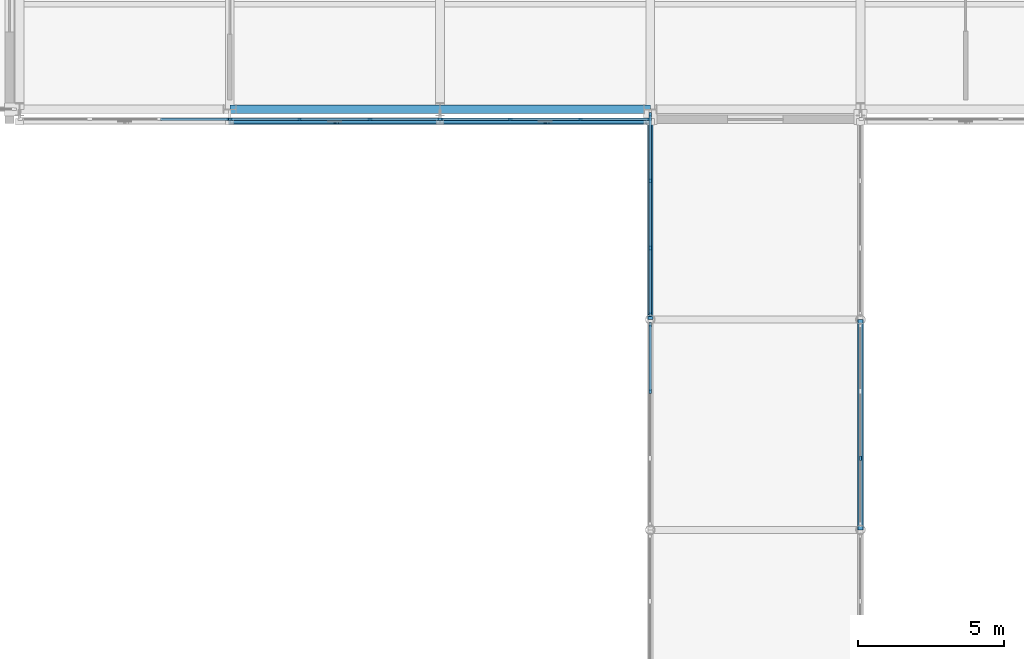
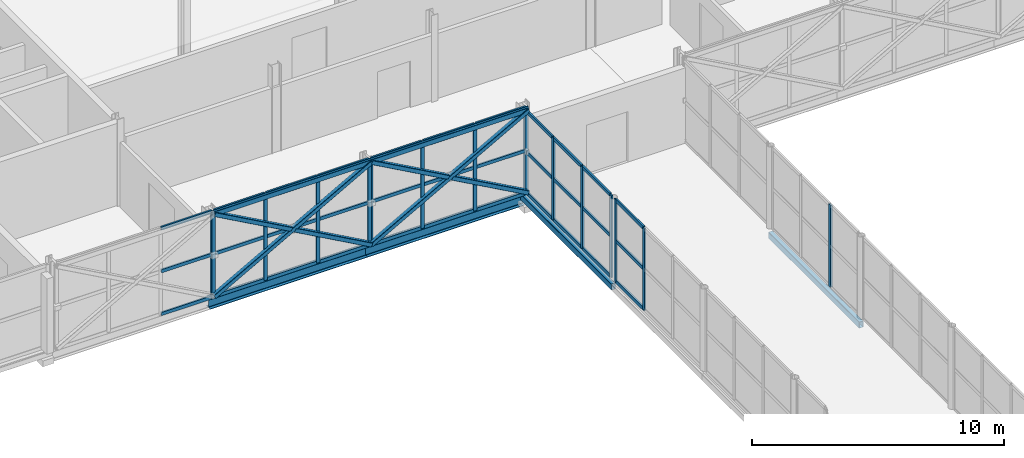
# One storey, part 60 of 146: 57 members, 4 beams, 6 elements without a shape of their own.
"""IFC4 building model written with IfcOpenShell, lengths in metres."""

from ifc_helpers import new_model, si_unit, direction, frame, origin, origin_2d, place, context, subcontext, project, spatial, rectangle, hollow_rectangle, i_section, extrude, material, material_profile, profile_set, type_object, element, aggregate, save


model = new_model("IFC4")

# Units and contexts
model_context = context("Model", 3, precision=1e-05, world=origin(), true_north=direction((0.0, 1.0)))
body_context = subcontext(model_context, "Body", "Model", "MODEL_VIEW")
ifc_project = project(units=[si_unit("LENGTHUNIT", "METRE"), si_unit("AREAUNIT", "SQUARE_METRE"), si_unit("VOLUMEUNIT", "CUBIC_METRE"), si_unit("PLANEANGLEUNIT", "RADIAN"), si_unit("MASSUNIT", "GRAM", prefix="KILO")], contexts=[model_context])

# Site, building, storey
site_placement = place(None, origin())
site = spatial("IfcSite", under=ifc_project, at=site_placement, CompositionType="ELEMENT")
building_placement = place(site_placement, origin())
building = spatial("IfcBuilding", under=site, at=building_placement, Name="Zlatovets Crest Museum", CompositionType="ELEMENT")
storey_placement = place(building_placement, frame((0.0, 0.0, 4.5)))
storey = spatial("IfcBuildingStorey", under=building, at=storey_placement, Name="L01", CompositionType="ELEMENT", Elevation=4.5)

# Beams
ifc_material_1 = material(Name="Structural steel S355J2", Category="steel")
ifc_material_profile_1 = material_profile(ifc_material_1, i_section(OverallWidth=0.300048828125, OverallDepth=0.489990234375, WebThickness=0.011962890625, FlangeThickness=0.02294921875, FilletRadius=0.027099609375, at=origin_2d()), Name="HEA 500")
ifc_profile_set_1 = profile_set([ifc_material_profile_1], Name="Structural steel S355J2")
beam_type_1 = type_object("IfcBeamType", Name="Beam_B-01", PredefinedType="BEAM", material=ifc_profile_set_1)
for number, where, z_axis, x_axis, name in (
    (1, (64.800048828125, 86.39990234375, -0.465087890625), (1.0, 0.0, 0.0), (0.0, 1.0, 0.0), "V1 L01 Primary Girder B-01"),
    (2, (72.0, 86.39990234375, -0.465087890625), (1.0, 0.0, 0.0), (0.0, 1.0, 0.0), "V1 L01 Primary Girder B-01"),
):
    element("IfcBeam", number, at=place(storey_placement, frame(where, z_axis=z_axis, x_axis=x_axis)), inside=storey, type_object=beam_type_1, Name=name, PredefinedType="BEAM", context=body_context, shape_type="SweptSolid", body=[
        extrude(i_section(OverallWidth=0.300048828125, OverallDepth=0.489990234375, WebThickness=0.011962890625, FlangeThickness=0.02294921875, FilletRadius=0.027099609375, at=origin_2d()), origin(), (0.0, 0.0, 1.0), 7.199951171875),
    ])
ifc_material_profile_2 = material_profile(ifc_material_1, hollow_rectangle(XDim=0.199951171875, YDim=0.300048828125, WallThickness=0.012451171875, InnerFilletRadius=0.012451171875, OuterFilletRadius=0.02490234375, at=origin_2d()), Name="RHS 200x300x12.5")
ifc_profile_set_2 = profile_set([ifc_material_profile_2], Name="Structural steel S355J2")
beam_type_2 = type_object("IfcBeamType", Name="Beam_BRG-01", PredefinedType="BEAM", material=ifc_profile_set_2)
for number, where, z_axis, x_axis, name in (
    (3, (79.199951171875, 79.199951171875, -0.3701171875), (0.0, 1.0, 0.0), (-1.0, 0.0, 0.0), "Central Sculpture Court Cloister and Skywalk L01 Stringer Beam"),
    (4, (86.39990234375, 72.0, -0.3701171875), (0.0, 1.0, 0.0), (-1.0, 0.0, 0.0), "Central Sculpture Court Cloister and Skywalk L01 Stringer Beam"),
):
    element("IfcBeam", number, at=place(storey_placement, frame(where, z_axis=z_axis, x_axis=x_axis)), inside=storey, type_object=beam_type_2, Name=name, PredefinedType="BEAM", context=body_context, shape_type="SweptSolid", body=[
        extrude(hollow_rectangle(XDim=0.199951171875, YDim=0.300048828125, WallThickness=0.012451171875, InnerFilletRadius=0.012451171875, OuterFilletRadius=0.02490234375, at=origin_2d()), origin(), (0.0, 0.0, 1.0), 7.199951171875),
    ])

# Curtain wall, member
ifc_material_2 = material(Name="Bronze-anodised aluminium and low-E triple glass", Category="aluminium")
curtain_wall_type_1 = type_object("IfcCurtainWallType", Name="CW_CW-V1-L01-M0", PredefinedType="NOTDEFINED", material=ifc_material_2)
curtain_wall_1_placement = place(storey_placement, origin())
curtain_wall_1 = element("IfcCurtainWall", 5, at=curtain_wall_1_placement, inside=storey, type_object=curtain_wall_type_1, Name="V1 L01 Secession Foyer Clear Curtain Wall", PredefinedType="NOTDEFINED")
ifc_material_3 = material(Name="Bronze-anodised aluminium EN AW-6060", Category="aluminium")
ifc_material_profile_3 = material_profile(ifc_material_3, rectangle(XDim=0.080078125, YDim=0.159912109375, at=origin_2d()), Name="ALU 80x160")
ifc_profile_set_3 = profile_set([ifc_material_profile_3], Name="Bronze-anodised aluminium EN AW-6060")
member_type_1 = type_object("IfcMemberType", Name="CWMull_M1", PredefinedType="MULLION", material=ifc_profile_set_3)
member_1_placement = place(storey_placement, frame((64.77001953125, 86.06005859375, 0.0), z_axis=(0.0, 0.0, 1.0), x_axis=(0.0, 1.0, 0.0)))
member_1 = element("IfcMember", 6, at=member_1_placement, type_object=member_type_1, Name="CW-V1-L01-M0 mullion 4", PredefinedType="MULLION", context=body_context, shape_type="SweptSolid", body=[
    extrude(rectangle(XDim=0.080078125, YDim=0.159912109375, at=origin_2d()), origin(), (0.0, 0.0, 1.0), 4.199951171875),
])

# Curtain wall, members
curtain_wall_type_2 = type_object("IfcCurtainWallType", Name="CW_CW-V1-L01-M1", PredefinedType="NOTDEFINED", material=ifc_material_2)
curtain_wall_2_placement = place(storey_placement, origin())
curtain_wall_2 = element("IfcCurtainWall", 7, at=curtain_wall_2_placement, inside=storey, type_object=curtain_wall_type_2, Name="V1 L01 Secession Foyer Clear Curtain Wall", PredefinedType="NOTDEFINED")
member_2_placement = place(storey_placement, frame((64.830078125, 86.06005859375, 0.0), z_axis=(0.0, 0.0, 1.0), x_axis=(0.0, 1.0, 0.0)))
member_2 = element("IfcMember", 8, at=member_2_placement, type_object=member_type_1, Name="CW-V1-L01-M1 mullion 1", PredefinedType="MULLION", context=body_context, shape_type="SweptSolid", body=[
    extrude(rectangle(XDim=0.080078125, YDim=0.159912109375, at=origin_2d()), origin(), (0.0, 0.0, 1.0), 4.199951171875),
])
member_3_placement = place(storey_placement, frame((67.199951171875, 86.06005859375, 0.0), z_axis=(0.0, 0.0, 1.0), x_axis=(0.0, 1.0, 0.0)))
member_3 = element("IfcMember", 9, at=member_3_placement, type_object=member_type_1, Name="CW-V1-L01-M1 mullion 2", PredefinedType="MULLION", context=body_context, shape_type="SweptSolid", body=[
    extrude(rectangle(XDim=0.080078125, YDim=0.159912109375, at=origin_2d()), origin(), (0.0, 0.0, 1.0), 4.199951171875),
])
member_4_placement = place(storey_placement, frame((69.60009765625, 86.06005859375, 0.0), z_axis=(0.0, 0.0, 1.0), x_axis=(0.0, 1.0, 0.0)))
member_4 = element("IfcMember", 10, at=member_4_placement, type_object=member_type_1, Name="CW-V1-L01-M1 mullion 3", PredefinedType="MULLION", context=body_context, shape_type="SweptSolid", body=[
    extrude(rectangle(XDim=0.080078125, YDim=0.159912109375, at=origin_2d()), origin(), (0.0, 0.0, 1.0), 4.199951171875),
])
member_5_placement = place(storey_placement, frame((71.969970703125, 86.06005859375, 0.0), z_axis=(0.0, 0.0, 1.0), x_axis=(0.0, 1.0, 0.0)))
member_5 = element("IfcMember", 11, at=member_5_placement, type_object=member_type_1, Name="CW-V1-L01-M1 mullion 4", PredefinedType="MULLION", context=body_context, shape_type="SweptSolid", body=[
    extrude(rectangle(XDim=0.080078125, YDim=0.159912109375, at=origin_2d()), origin(), (0.0, 0.0, 1.0), 4.199951171875),
])

curtain_wall_type_3 = type_object("IfcCurtainWallType", Name="CW_CW-V1-L01-M2", PredefinedType="NOTDEFINED", material=ifc_material_2)
curtain_wall_3_placement = place(storey_placement, origin())
curtain_wall_3 = element("IfcCurtainWall", 12, at=curtain_wall_3_placement, inside=storey, type_object=curtain_wall_type_3, Name="V1 L01 Secession Foyer Clear Curtain Wall", PredefinedType="NOTDEFINED")
member_6_placement = place(storey_placement, frame((72.030029296875, 86.06005859375, 0.0), z_axis=(0.0, 0.0, 1.0), x_axis=(0.0, 1.0, 0.0)))
member_6 = element("IfcMember", 13, at=member_6_placement, type_object=member_type_1, Name="CW-V1-L01-M2 mullion 1", PredefinedType="MULLION", context=body_context, shape_type="SweptSolid", body=[
    extrude(rectangle(XDim=0.080078125, YDim=0.159912109375, at=origin_2d()), origin(), (0.0, 0.0, 1.0), 4.199951171875),
])
member_7_placement = place(storey_placement, frame((74.39990234375, 86.06005859375, 0.0), z_axis=(0.0, 0.0, 1.0), x_axis=(0.0, 1.0, 0.0)))
member_7 = element("IfcMember", 14, at=member_7_placement, type_object=member_type_1, Name="CW-V1-L01-M2 mullion 2", PredefinedType="MULLION", context=body_context, shape_type="SweptSolid", body=[
    extrude(rectangle(XDim=0.080078125, YDim=0.159912109375, at=origin_2d()), origin(), (0.0, 0.0, 1.0), 4.199951171875),
])
member_8_placement = place(storey_placement, frame((76.800048828125, 86.06005859375, 0.0), z_axis=(0.0, 0.0, 1.0), x_axis=(0.0, 1.0, 0.0)))
member_8 = element("IfcMember", 15, at=member_8_placement, type_object=member_type_1, Name="CW-V1-L01-M2 mullion 3", PredefinedType="MULLION", context=body_context, shape_type="SweptSolid", body=[
    extrude(rectangle(XDim=0.080078125, YDim=0.159912109375, at=origin_2d()), origin(), (0.0, 0.0, 1.0), 4.199951171875),
])
member_9_placement = place(storey_placement, frame((79.169921875, 86.06005859375, 0.0), z_axis=(0.0, 0.0, 1.0), x_axis=(0.0, 1.0, 0.0)))
member_9 = element("IfcMember", 16, at=member_9_placement, type_object=member_type_1, Name="CW-V1-L01-M2 mullion 4", PredefinedType="MULLION", context=body_context, shape_type="SweptSolid", body=[
    extrude(rectangle(XDim=0.080078125, YDim=0.159912109375, at=origin_2d()), origin(), (0.0, 0.0, 1.0), 4.199951171875),
])

curtain_wall_type_4 = type_object("IfcCurtainWallType", Name="CW_CW-BR5-L01-S69", PredefinedType="NOTDEFINED", material=ifc_material_2)
curtain_wall_4_placement = place(storey_placement, origin())
curtain_wall_4 = element("IfcCurtainWall", 17, at=curtain_wall_4_placement, inside=storey, type_object=curtain_wall_type_4, Name="Central Sculpture Court Cloister and Skywalk L01 Glazed Bridge Curtain Wall", PredefinedType="NOTDEFINED")
member_10_placement = place(storey_placement, frame((79.199951171875, 76.75, 0.0), z_axis=(0.0, 0.0, 1.0), x_axis=(-1.0, 0.0, 0.0)))
member_10 = element("IfcMember", 18, at=member_10_placement, type_object=member_type_1, Name="CW-BR5-L01-S69 mullion 3", PredefinedType="MULLION", context=body_context, shape_type="SweptSolid", body=[
    extrude(rectangle(XDim=0.080078125, YDim=0.159912109375, at=origin_2d()), origin(), (0.0, 0.0, 1.0), 3.97998046875),
])
member_11_placement = place(storey_placement, frame((79.199951171875, 79.02001953125, 0.0), z_axis=(0.0, 0.0, 1.0), x_axis=(-1.0, 0.0, 0.0)))
member_11 = element("IfcMember", 19, at=member_11_placement, type_object=member_type_1, Name="CW-BR5-L01-S69 mullion 4", PredefinedType="MULLION", context=body_context, shape_type="SweptSolid", body=[
    extrude(rectangle(XDim=0.080078125, YDim=0.159912109375, at=origin_2d()), origin(), (0.0, 0.0, 1.0), 3.97998046875),
])

curtain_wall_5_placement = place(storey_placement, origin())
curtain_wall_5 = element("IfcCurtainWall", 20, at=curtain_wall_5_placement, inside=storey, type_object=curtain_wall_type_4, Name="Central Sculpture Court Cloister and Skywalk L01 Glazed Bridge Curtain Wall", PredefinedType="NOTDEFINED")
member_12_placement = place(storey_placement, frame((79.199951171875, 79.3798828125, 0.0), z_axis=(0.0, 0.0, 1.0), x_axis=(-1.0, 0.0, 0.0)))
member_12 = element("IfcMember", 21, at=member_12_placement, type_object=member_type_1, Name="CW-BR5-L01-S69 mullion 1", PredefinedType="MULLION", context=body_context, shape_type="SweptSolid", body=[
    extrude(rectangle(XDim=0.080078125, YDim=0.159912109375, at=origin_2d()), origin(), (0.0, 0.0, 1.0), 3.97998046875),
])
member_13_placement = place(storey_placement, frame((79.199951171875, 81.64990234375, 0.0), z_axis=(0.0, 0.0, 1.0), x_axis=(-1.0, 0.0, 0.0)))
member_13 = element("IfcMember", 22, at=member_13_placement, type_object=member_type_1, Name="CW-BR5-L01-S69 mullion 2", PredefinedType="MULLION", context=body_context, shape_type="SweptSolid", body=[
    extrude(rectangle(XDim=0.080078125, YDim=0.159912109375, at=origin_2d()), origin(), (0.0, 0.0, 1.0), 3.97998046875),
])
member_14_placement = place(storey_placement, frame((79.199951171875, 83.949951171875, 0.0), z_axis=(0.0, 0.0, 1.0), x_axis=(-1.0, 0.0, 0.0)))
member_14 = element("IfcMember", 23, at=member_14_placement, type_object=member_type_1, Name="CW-BR5-L01-S69 mullion 3", PredefinedType="MULLION", context=body_context, shape_type="SweptSolid", body=[
    extrude(rectangle(XDim=0.080078125, YDim=0.159912109375, at=origin_2d()), origin(), (0.0, 0.0, 1.0), 3.97998046875),
])
member_15_placement = place(storey_placement, frame((79.199951171875, 86.219970703125, 0.0), z_axis=(0.0, 0.0, 1.0), x_axis=(-1.0, 0.0, 0.0)))
member_15 = element("IfcMember", 24, at=member_15_placement, type_object=member_type_1, Name="CW-BR5-L01-S69 mullion 4", PredefinedType="MULLION", context=body_context, shape_type="SweptSolid", body=[
    extrude(rectangle(XDim=0.080078125, YDim=0.159912109375, at=origin_2d()), origin(), (0.0, 0.0, 1.0), 3.97998046875),
])

# Curtain wall, member
curtain_wall_6_placement = place(storey_placement, origin())
curtain_wall_6 = element("IfcCurtainWall", 25, at=curtain_wall_6_placement, inside=storey, type_object=curtain_wall_type_4, Name="Central Sculpture Court Cloister and Skywalk L01 Glazed Bridge Curtain Wall", PredefinedType="NOTDEFINED")
member_16_placement = place(storey_placement, frame((86.39990234375, 74.449951171875, 0.0), z_axis=(0.0, 0.0, 1.0), x_axis=(-1.0, 0.0, 0.0)))
member_16 = element("IfcMember", 26, at=member_16_placement, type_object=member_type_1, Name="CW-BR5-L01-S69 mullion 2", PredefinedType="MULLION", context=body_context, shape_type="SweptSolid", body=[
    extrude(rectangle(XDim=0.080078125, YDim=0.159912109375, at=origin_2d()), origin(), (0.0, 0.0, 1.0), 3.97998046875),
])
aggregate(curtain_wall_6, [member_16])

# Member
ifc_material_profile_4 = material_profile(ifc_material_3, rectangle(XDim=0.080078125, YDim=0.159912109375, at=origin_2d()), Name="ALU 80x160")
ifc_profile_set_4 = profile_set([ifc_material_profile_4], Name="Bronze-anodised aluminium EN AW-6060")
member_type_2 = type_object("IfcMemberType", Name="CWTrans_T1", PredefinedType="USERDEFINED", material=ifc_profile_set_4)
member_17_placement = place(storey_placement, frame((62.429931640625, 86.06005859375, 0.030029296875), z_axis=(1.0, 0.0, 0.0), x_axis=(0.0, 1.0, 0.0)))
member_17 = element("IfcMember", 27, at=member_17_placement, type_object=member_type_2, Name="CW-V1-L01-M0 transom 3.1", ObjectType="TRANSOM", PredefinedType="USERDEFINED", context=body_context, shape_type="SweptSolid", body=[
    extrude(rectangle(XDim=0.080078125, YDim=0.159912109375, at=origin_2d()), origin(), (0.0, 0.0, 1.0), 2.31005859375),
])

member_18_placement = place(storey_placement, frame((62.429931640625, 86.06005859375, 2.10009765625), z_axis=(1.0, 0.0, 0.0), x_axis=(0.0, 1.0, 0.0)))
member_18 = element("IfcMember", 28, at=member_18_placement, type_object=member_type_2, Name="CW-V1-L01-M0 transom 3.2", ObjectType="TRANSOM", PredefinedType="USERDEFINED", context=body_context, shape_type="SweptSolid", body=[
    extrude(rectangle(XDim=0.080078125, YDim=0.159912109375, at=origin_2d()), origin(), (0.0, 0.0, 1.0), 2.31005859375),
])

member_19_placement = place(storey_placement, frame((62.429931640625, 86.06005859375, 4.169921875), z_axis=(1.0, 0.0, 0.0), x_axis=(0.0, 1.0, 0.0)))
member_19 = element("IfcMember", 29, at=member_19_placement, type_object=member_type_2, Name="CW-V1-L01-M0 transom 3.3", ObjectType="TRANSOM", PredefinedType="USERDEFINED", context=body_context, shape_type="SweptSolid", body=[
    extrude(rectangle(XDim=0.080078125, YDim=0.159912109375, at=origin_2d()), origin(), (0.0, 0.0, 1.0), 2.31005859375),
])

aggregate(curtain_wall_1, [member_1, member_17, member_18, member_19])

member_20_placement = place(storey_placement, frame((64.860107421875, 86.06005859375, 0.030029296875), z_axis=(1.0, 0.0, 0.0), x_axis=(0.0, 1.0, 0.0)))
member_20 = element("IfcMember", 30, at=member_20_placement, type_object=member_type_2, Name="CW-V1-L01-M1 transom 1.1", ObjectType="TRANSOM", PredefinedType="USERDEFINED", context=body_context, shape_type="SweptSolid", body=[
    extrude(rectangle(XDim=0.080078125, YDim=0.159912109375, at=origin_2d()), origin(), (0.0, 0.0, 1.0), 2.309814453125),
])

member_21_placement = place(storey_placement, frame((64.860107421875, 86.06005859375, 2.10009765625), z_axis=(1.0, 0.0, 0.0), x_axis=(0.0, 1.0, 0.0)))
member_21 = element("IfcMember", 31, at=member_21_placement, type_object=member_type_2, Name="CW-V1-L01-M1 transom 1.2", ObjectType="TRANSOM", PredefinedType="USERDEFINED", context=body_context, shape_type="SweptSolid", body=[
    extrude(rectangle(XDim=0.080078125, YDim=0.159912109375, at=origin_2d()), origin(), (0.0, 0.0, 1.0), 2.309814453125),
])

member_22_placement = place(storey_placement, frame((64.860107421875, 86.06005859375, 4.169921875), z_axis=(1.0, 0.0, 0.0), x_axis=(0.0, 1.0, 0.0)))
member_22 = element("IfcMember", 32, at=member_22_placement, type_object=member_type_2, Name="CW-V1-L01-M1 transom 1.3", ObjectType="TRANSOM", PredefinedType="USERDEFINED", context=body_context, shape_type="SweptSolid", body=[
    extrude(rectangle(XDim=0.080078125, YDim=0.159912109375, at=origin_2d()), origin(), (0.0, 0.0, 1.0), 2.309814453125),
])

member_23_placement = place(storey_placement, frame((67.22998046875, 86.06005859375, 0.030029296875), z_axis=(1.0, 0.0, 0.0), x_axis=(0.0, 1.0, 0.0)))
member_23 = element("IfcMember", 33, at=member_23_placement, type_object=member_type_2, Name="CW-V1-L01-M1 transom 2.1", ObjectType="TRANSOM", PredefinedType="USERDEFINED", context=body_context, shape_type="SweptSolid", body=[
    extrude(rectangle(XDim=0.080078125, YDim=0.159912109375, at=origin_2d()), origin(), (0.0, 0.0, 1.0), 2.340087890625),
])

member_24_placement = place(storey_placement, frame((67.22998046875, 86.06005859375, 2.10009765625), z_axis=(1.0, 0.0, 0.0), x_axis=(0.0, 1.0, 0.0)))
member_24 = element("IfcMember", 34, at=member_24_placement, type_object=member_type_2, Name="CW-V1-L01-M1 transom 2.2", ObjectType="TRANSOM", PredefinedType="USERDEFINED", context=body_context, shape_type="SweptSolid", body=[
    extrude(rectangle(XDim=0.080078125, YDim=0.159912109375, at=origin_2d()), origin(), (0.0, 0.0, 1.0), 2.340087890625),
])

member_25_placement = place(storey_placement, frame((67.22998046875, 86.06005859375, 4.169921875), z_axis=(1.0, 0.0, 0.0), x_axis=(0.0, 1.0, 0.0)))
member_25 = element("IfcMember", 35, at=member_25_placement, type_object=member_type_2, Name="CW-V1-L01-M1 transom 2.3", ObjectType="TRANSOM", PredefinedType="USERDEFINED", context=body_context, shape_type="SweptSolid", body=[
    extrude(rectangle(XDim=0.080078125, YDim=0.159912109375, at=origin_2d()), origin(), (0.0, 0.0, 1.0), 2.340087890625),
])

member_26_placement = place(storey_placement, frame((69.6298828125, 86.06005859375, 0.030029296875), z_axis=(1.0, 0.0, 0.0), x_axis=(0.0, 1.0, 0.0)))
member_26 = element("IfcMember", 36, at=member_26_placement, type_object=member_type_2, Name="CW-V1-L01-M1 transom 3.1", ObjectType="TRANSOM", PredefinedType="USERDEFINED", context=body_context, shape_type="SweptSolid", body=[
    extrude(rectangle(XDim=0.080078125, YDim=0.159912109375, at=origin_2d()), origin(), (0.0, 0.0, 1.0), 2.31005859375),
])

member_27_placement = place(storey_placement, frame((69.6298828125, 86.06005859375, 2.10009765625), z_axis=(1.0, 0.0, 0.0), x_axis=(0.0, 1.0, 0.0)))
member_27 = element("IfcMember", 37, at=member_27_placement, type_object=member_type_2, Name="CW-V1-L01-M1 transom 3.2", ObjectType="TRANSOM", PredefinedType="USERDEFINED", context=body_context, shape_type="SweptSolid", body=[
    extrude(rectangle(XDim=0.080078125, YDim=0.159912109375, at=origin_2d()), origin(), (0.0, 0.0, 1.0), 2.31005859375),
])

member_28_placement = place(storey_placement, frame((69.6298828125, 86.06005859375, 4.169921875), z_axis=(1.0, 0.0, 0.0), x_axis=(0.0, 1.0, 0.0)))
member_28 = element("IfcMember", 38, at=member_28_placement, type_object=member_type_2, Name="CW-V1-L01-M1 transom 3.3", ObjectType="TRANSOM", PredefinedType="USERDEFINED", context=body_context, shape_type="SweptSolid", body=[
    extrude(rectangle(XDim=0.080078125, YDim=0.159912109375, at=origin_2d()), origin(), (0.0, 0.0, 1.0), 2.31005859375),
])

aggregate(curtain_wall_2, [member_2, member_3, member_4, member_5, member_20, member_21, member_22, member_23, member_24, member_25, member_26, member_27, member_28])

member_29_placement = place(storey_placement, frame((72.06005859375, 86.06005859375, 0.030029296875), z_axis=(1.0, 0.0, 0.0), x_axis=(0.0, 1.0, 0.0)))
member_29 = element("IfcMember", 39, at=member_29_placement, type_object=member_type_2, Name="CW-V1-L01-M2 transom 1.1", ObjectType="TRANSOM", PredefinedType="USERDEFINED", context=body_context, shape_type="SweptSolid", body=[
    extrude(rectangle(XDim=0.080078125, YDim=0.159912109375, at=origin_2d()), origin(), (0.0, 0.0, 1.0), 2.31005859375),
])

member_30_placement = place(storey_placement, frame((72.06005859375, 86.06005859375, 2.10009765625), z_axis=(1.0, 0.0, 0.0), x_axis=(0.0, 1.0, 0.0)))
member_30 = element("IfcMember", 40, at=member_30_placement, type_object=member_type_2, Name="CW-V1-L01-M2 transom 1.2", ObjectType="TRANSOM", PredefinedType="USERDEFINED", context=body_context, shape_type="SweptSolid", body=[
    extrude(rectangle(XDim=0.080078125, YDim=0.159912109375, at=origin_2d()), origin(), (0.0, 0.0, 1.0), 2.31005859375),
])

member_31_placement = place(storey_placement, frame((72.06005859375, 86.06005859375, 4.169921875), z_axis=(1.0, 0.0, 0.0), x_axis=(0.0, 1.0, 0.0)))
member_31 = element("IfcMember", 41, at=member_31_placement, type_object=member_type_2, Name="CW-V1-L01-M2 transom 1.3", ObjectType="TRANSOM", PredefinedType="USERDEFINED", context=body_context, shape_type="SweptSolid", body=[
    extrude(rectangle(XDim=0.080078125, YDim=0.159912109375, at=origin_2d()), origin(), (0.0, 0.0, 1.0), 2.31005859375),
])

member_32_placement = place(storey_placement, frame((74.429931640625, 86.06005859375, 0.030029296875), z_axis=(1.0, 0.0, 0.0), x_axis=(0.0, 1.0, 0.0)))
member_32 = element("IfcMember", 42, at=member_32_placement, type_object=member_type_2, Name="CW-V1-L01-M2 transom 2.1", ObjectType="TRANSOM", PredefinedType="USERDEFINED", context=body_context, shape_type="SweptSolid", body=[
    extrude(rectangle(XDim=0.080078125, YDim=0.159912109375, at=origin_2d()), origin(), (0.0, 0.0, 1.0), 2.340087890625),
])

member_33_placement = place(storey_placement, frame((74.429931640625, 86.06005859375, 2.10009765625), z_axis=(1.0, 0.0, 0.0), x_axis=(0.0, 1.0, 0.0)))
member_33 = element("IfcMember", 43, at=member_33_placement, type_object=member_type_2, Name="CW-V1-L01-M2 transom 2.2", ObjectType="TRANSOM", PredefinedType="USERDEFINED", context=body_context, shape_type="SweptSolid", body=[
    extrude(rectangle(XDim=0.080078125, YDim=0.159912109375, at=origin_2d()), origin(), (0.0, 0.0, 1.0), 2.340087890625),
])

member_34_placement = place(storey_placement, frame((74.429931640625, 86.06005859375, 4.169921875), z_axis=(1.0, 0.0, 0.0), x_axis=(0.0, 1.0, 0.0)))
member_34 = element("IfcMember", 44, at=member_34_placement, type_object=member_type_2, Name="CW-V1-L01-M2 transom 2.3", ObjectType="TRANSOM", PredefinedType="USERDEFINED", context=body_context, shape_type="SweptSolid", body=[
    extrude(rectangle(XDim=0.080078125, YDim=0.159912109375, at=origin_2d()), origin(), (0.0, 0.0, 1.0), 2.340087890625),
])

member_35_placement = place(storey_placement, frame((76.830078125, 86.06005859375, 0.030029296875), z_axis=(1.0, 0.0, 0.0), x_axis=(0.0, 1.0, 0.0)))
member_35 = element("IfcMember", 45, at=member_35_placement, type_object=member_type_2, Name="CW-V1-L01-M2 transom 3.1", ObjectType="TRANSOM", PredefinedType="USERDEFINED", context=body_context, shape_type="SweptSolid", body=[
    extrude(rectangle(XDim=0.080078125, YDim=0.159912109375, at=origin_2d()), origin(), (0.0, 0.0, 1.0), 2.309814453125),
])

member_36_placement = place(storey_placement, frame((76.830078125, 86.06005859375, 2.10009765625), z_axis=(1.0, 0.0, 0.0), x_axis=(0.0, 1.0, 0.0)))
member_36 = element("IfcMember", 46, at=member_36_placement, type_object=member_type_2, Name="CW-V1-L01-M2 transom 3.2", ObjectType="TRANSOM", PredefinedType="USERDEFINED", context=body_context, shape_type="SweptSolid", body=[
    extrude(rectangle(XDim=0.080078125, YDim=0.159912109375, at=origin_2d()), origin(), (0.0, 0.0, 1.0), 2.309814453125),
])

member_37_placement = place(storey_placement, frame((76.830078125, 86.06005859375, 4.169921875), z_axis=(1.0, 0.0, 0.0), x_axis=(0.0, 1.0, 0.0)))
member_37 = element("IfcMember", 47, at=member_37_placement, type_object=member_type_2, Name="CW-V1-L01-M2 transom 3.3", ObjectType="TRANSOM", PredefinedType="USERDEFINED", context=body_context, shape_type="SweptSolid", body=[
    extrude(rectangle(XDim=0.080078125, YDim=0.159912109375, at=origin_2d()), origin(), (0.0, 0.0, 1.0), 2.309814453125),
])

aggregate(curtain_wall_3, [member_6, member_7, member_8, member_9, member_29, member_30, member_31, member_32, member_33, member_34, member_35, member_36, member_37])

member_38_placement = place(storey_placement, frame((79.199951171875, 76.780029296875, 0.030029296875), z_axis=(0.0, 1.0, 0.0), x_axis=(-1.0, 0.0, 0.0)))
member_38 = element("IfcMember", 48, at=member_38_placement, type_object=member_type_2, Name="CW-BR5-L01-S69 transom 3.1", ObjectType="TRANSOM", PredefinedType="USERDEFINED", context=body_context, shape_type="SweptSolid", body=[
    extrude(rectangle(XDim=0.080078125, YDim=0.159912109375, at=origin_2d()), origin(), (0.0, 0.0, 1.0), 2.2099609375),
])

member_39_placement = place(storey_placement, frame((79.199951171875, 76.780029296875, 1.989990234375), z_axis=(0.0, 1.0, 0.0), x_axis=(-1.0, 0.0, 0.0)))
member_39 = element("IfcMember", 49, at=member_39_placement, type_object=member_type_2, Name="CW-BR5-L01-S69 transom 3.2", ObjectType="TRANSOM", PredefinedType="USERDEFINED", context=body_context, shape_type="SweptSolid", body=[
    extrude(rectangle(XDim=0.080078125, YDim=0.159912109375, at=origin_2d()), origin(), (0.0, 0.0, 1.0), 2.2099609375),
])

member_40_placement = place(storey_placement, frame((79.199951171875, 76.780029296875, 3.949951171875), z_axis=(0.0, 1.0, 0.0), x_axis=(-1.0, 0.0, 0.0)))
member_40 = element("IfcMember", 50, at=member_40_placement, type_object=member_type_2, Name="CW-BR5-L01-S69 transom 3.3", ObjectType="TRANSOM", PredefinedType="USERDEFINED", context=body_context, shape_type="SweptSolid", body=[
    extrude(rectangle(XDim=0.080078125, YDim=0.159912109375, at=origin_2d()), origin(), (0.0, 0.0, 1.0), 2.2099609375),
])

aggregate(curtain_wall_4, [member_10, member_11, member_38, member_39, member_40])

member_41_placement = place(storey_placement, frame((79.199951171875, 79.409912109375, 0.030029296875), z_axis=(0.0, 1.0, 0.0), x_axis=(-1.0, 0.0, 0.0)))
member_41 = element("IfcMember", 51, at=member_41_placement, type_object=member_type_2, Name="CW-BR5-L01-S69 transom 1.1", ObjectType="TRANSOM", PredefinedType="USERDEFINED", context=body_context, shape_type="SweptSolid", body=[
    extrude(rectangle(XDim=0.080078125, YDim=0.159912109375, at=origin_2d()), origin(), (0.0, 0.0, 1.0), 2.210205078125),
])

member_42_placement = place(storey_placement, frame((79.199951171875, 79.409912109375, 1.989990234375), z_axis=(0.0, 1.0, 0.0), x_axis=(-1.0, 0.0, 0.0)))
member_42 = element("IfcMember", 52, at=member_42_placement, type_object=member_type_2, Name="CW-BR5-L01-S69 transom 1.2", ObjectType="TRANSOM", PredefinedType="USERDEFINED", context=body_context, shape_type="SweptSolid", body=[
    extrude(rectangle(XDim=0.080078125, YDim=0.159912109375, at=origin_2d()), origin(), (0.0, 0.0, 1.0), 2.210205078125),
])

member_43_placement = place(storey_placement, frame((79.199951171875, 79.409912109375, 3.949951171875), z_axis=(0.0, 1.0, 0.0), x_axis=(-1.0, 0.0, 0.0)))
member_43 = element("IfcMember", 53, at=member_43_placement, type_object=member_type_2, Name="CW-BR5-L01-S69 transom 1.3", ObjectType="TRANSOM", PredefinedType="USERDEFINED", context=body_context, shape_type="SweptSolid", body=[
    extrude(rectangle(XDim=0.080078125, YDim=0.159912109375, at=origin_2d()), origin(), (0.0, 0.0, 1.0), 2.210205078125),
])

member_44_placement = place(storey_placement, frame((79.199951171875, 81.679931640625, 0.030029296875), z_axis=(0.0, 1.0, 0.0), x_axis=(-1.0, 0.0, 0.0)))
member_44 = element("IfcMember", 54, at=member_44_placement, type_object=member_type_2, Name="CW-BR5-L01-S69 transom 2.1", ObjectType="TRANSOM", PredefinedType="USERDEFINED", context=body_context, shape_type="SweptSolid", body=[
    extrude(rectangle(XDim=0.080078125, YDim=0.159912109375, at=origin_2d()), origin(), (0.0, 0.0, 1.0), 2.239990234375),
])

member_45_placement = place(storey_placement, frame((79.199951171875, 81.679931640625, 1.989990234375), z_axis=(0.0, 1.0, 0.0), x_axis=(-1.0, 0.0, 0.0)))
member_45 = element("IfcMember", 55, at=member_45_placement, type_object=member_type_2, Name="CW-BR5-L01-S69 transom 2.2", ObjectType="TRANSOM", PredefinedType="USERDEFINED", context=body_context, shape_type="SweptSolid", body=[
    extrude(rectangle(XDim=0.080078125, YDim=0.159912109375, at=origin_2d()), origin(), (0.0, 0.0, 1.0), 2.239990234375),
])

member_46_placement = place(storey_placement, frame((79.199951171875, 81.679931640625, 3.949951171875), z_axis=(0.0, 1.0, 0.0), x_axis=(-1.0, 0.0, 0.0)))
member_46 = element("IfcMember", 56, at=member_46_placement, type_object=member_type_2, Name="CW-BR5-L01-S69 transom 2.3", ObjectType="TRANSOM", PredefinedType="USERDEFINED", context=body_context, shape_type="SweptSolid", body=[
    extrude(rectangle(XDim=0.080078125, YDim=0.159912109375, at=origin_2d()), origin(), (0.0, 0.0, 1.0), 2.239990234375),
])

member_47_placement = place(storey_placement, frame((79.199951171875, 83.97998046875, 0.030029296875), z_axis=(0.0, 1.0, 0.0), x_axis=(-1.0, 0.0, 0.0)))
member_47 = element("IfcMember", 57, at=member_47_placement, type_object=member_type_2, Name="CW-BR5-L01-S69 transom 3.1", ObjectType="TRANSOM", PredefinedType="USERDEFINED", context=body_context, shape_type="SweptSolid", body=[
    extrude(rectangle(XDim=0.080078125, YDim=0.159912109375, at=origin_2d()), origin(), (0.0, 0.0, 1.0), 2.2099609375),
])

member_48_placement = place(storey_placement, frame((79.199951171875, 83.97998046875, 1.989990234375), z_axis=(0.0, 1.0, 0.0), x_axis=(-1.0, 0.0, 0.0)))
member_48 = element("IfcMember", 58, at=member_48_placement, type_object=member_type_2, Name="CW-BR5-L01-S69 transom 3.2", ObjectType="TRANSOM", PredefinedType="USERDEFINED", context=body_context, shape_type="SweptSolid", body=[
    extrude(rectangle(XDim=0.080078125, YDim=0.159912109375, at=origin_2d()), origin(), (0.0, 0.0, 1.0), 2.2099609375),
])

member_49_placement = place(storey_placement, frame((79.199951171875, 83.97998046875, 3.949951171875), z_axis=(0.0, 1.0, 0.0), x_axis=(-1.0, 0.0, 0.0)))
member_49 = element("IfcMember", 59, at=member_49_placement, type_object=member_type_2, Name="CW-BR5-L01-S69 transom 3.3", ObjectType="TRANSOM", PredefinedType="USERDEFINED", context=body_context, shape_type="SweptSolid", body=[
    extrude(rectangle(XDim=0.080078125, YDim=0.159912109375, at=origin_2d()), origin(), (0.0, 0.0, 1.0), 2.2099609375),
])

aggregate(curtain_wall_5, [member_12, member_13, member_14, member_15, member_41, member_42, member_43, member_44, member_45, member_46, member_47, member_48, member_49])

# Members
ifc_material_4 = material(Name="Weathering bronze-steel S355J2W", Category="steel")
ifc_material_profile_5 = material_profile(ifc_material_4, hollow_rectangle(XDim=0.199951171875, YDim=0.199951171875, WallThickness=0.012451171875, InnerFilletRadius=0.012451171875, OuterFilletRadius=0.02490234375, at=origin_2d()), Name="SHS 200x200x12.5")
ifc_profile_set_5 = profile_set([ifc_material_profile_5], Name="Weathering bronze-steel S355J2W")
member_type_3 = type_object("IfcMemberType", Name="Lattice_XL-02", PredefinedType="BRACE", material=ifc_profile_set_5)
member_50_placement = place(storey_placement, frame((64.800048828125, 85.97998046875, 0.10009765625), z_axis=(0.874155877937, 0.0, 0.485645447903), x_axis=(0.0, 1.0, 0.0)))
element("IfcMember", 60, at=member_50_placement, inside=storey, type_object=member_type_3, Name="Continuous Bronze Lattice Diagonal", PredefinedType="BRACE", context=body_context, shape_type="SweptSolid", body=[
    extrude(hollow_rectangle(XDim=0.199951171875, YDim=0.199951171875, WallThickness=0.012451171875, InnerFilletRadius=0.012451171875, OuterFilletRadius=0.02490234375, at=origin_2d()), origin(), (0.0, 0.0, 1.0), 8.236572265625),
])
member_51_placement = place(storey_placement, frame((64.800048828125, 85.97998046875, 4.10009765625), z_axis=(0.874125788284, 0.0, -0.485699604958), x_axis=(0.0, 1.0, 0.0)))
element("IfcMember", 61, at=member_51_placement, inside=storey, type_object=member_type_3, Name="Split Crossing Bronze Lattice Diagonal Upper", PredefinedType="BRACE", context=body_context, shape_type="SweptSolid", body=[
    extrude(hollow_rectangle(XDim=0.199951171875, YDim=0.199951171875, WallThickness=0.012451171875, InnerFilletRadius=0.012451171875, OuterFilletRadius=0.02490234375, at=origin_2d()), origin(), (0.0, 0.0, 1.0), 4.023193359375),
])
member_52_placement = place(storey_placement, frame((68.48291015625, 85.97998046875, 2.053955078125), z_axis=(0.874165862873, 0.0, -0.485627474703), x_axis=(0.0, 1.0, 0.0)))
element("IfcMember", 62, at=member_52_placement, inside=storey, type_object=member_type_3, Name="Split Crossing Bronze Lattice Diagonal Lower", PredefinedType="BRACE", context=body_context, shape_type="SweptSolid", body=[
    extrude(hollow_rectangle(XDim=0.199951171875, YDim=0.199951171875, WallThickness=0.012451171875, InnerFilletRadius=0.012451171875, OuterFilletRadius=0.02490234375, at=origin_2d()), origin(), (0.0, 0.0, 1.0), 4.0234375),
])
member_53_placement = place(storey_placement, frame((72.0, 85.97998046875, 0.10009765625), z_axis=(0.874155877937, 0.0, 0.485645447903), x_axis=(0.0, 1.0, 0.0)))
element("IfcMember", 63, at=member_53_placement, inside=storey, type_object=member_type_3, Name="Continuous Bronze Lattice Diagonal", PredefinedType="BRACE", context=body_context, shape_type="SweptSolid", body=[
    extrude(hollow_rectangle(XDim=0.199951171875, YDim=0.199951171875, WallThickness=0.012451171875, InnerFilletRadius=0.012451171875, OuterFilletRadius=0.02490234375, at=origin_2d()), origin(), (0.0, 0.0, 1.0), 8.236572265625),
])
member_54_placement = place(storey_placement, frame((72.0, 85.97998046875, 4.10009765625), z_axis=(0.874140102304, 0.0, -0.485673842763), x_axis=(0.0, 1.0, 0.0)))
element("IfcMember", 64, at=member_54_placement, inside=storey, type_object=member_type_3, Name="Split Crossing Bronze Lattice Diagonal Upper", PredefinedType="BRACE", context=body_context, shape_type="SweptSolid", body=[
    extrude(hollow_rectangle(XDim=0.199951171875, YDim=0.199951171875, WallThickness=0.012451171875, InnerFilletRadius=0.012451171875, OuterFilletRadius=0.02490234375, at=origin_2d()), origin(), (0.0, 0.0, 1.0), 4.0234375),
])
member_55_placement = place(storey_placement, frame((75.68310546875, 85.97998046875, 2.053955078125), z_axis=(0.874151551165, 0.0, -0.485653235958), x_axis=(0.0, 1.0, 0.0)))
element("IfcMember", 65, at=member_55_placement, inside=storey, type_object=member_type_3, Name="Split Crossing Bronze Lattice Diagonal Lower", PredefinedType="BRACE", context=body_context, shape_type="SweptSolid", body=[
    extrude(hollow_rectangle(XDim=0.199951171875, YDim=0.199951171875, WallThickness=0.012451171875, InnerFilletRadius=0.012451171875, OuterFilletRadius=0.02490234375, at=origin_2d()), origin(), (0.0, 0.0, 1.0), 4.023193359375),
])
ifc_material_profile_6 = material_profile(ifc_material_4, hollow_rectangle(XDim=0.1201171875, YDim=0.239990234375, WallThickness=0.010009765625, InnerFilletRadius=0.010009765625, OuterFilletRadius=0.02001953125, at=origin_2d()), Name="RHS 120x240x10.0")
ifc_profile_set_6 = profile_set([ifc_material_profile_6], Name="Weathering bronze-steel S355J2W")
member_type_4 = type_object("IfcMemberType", Name="Lattice_XL-04", PredefinedType="CHORD", material=ifc_profile_set_6)
for number, where, z_axis, x_axis, name in (
    (66, (64.800048828125, 85.97998046875, 4.10009765625), (1.0, 0.0, 0.0), (0.0, 1.0, 0.0), "Art Nouveau Woven Cage Collector Ring Chord"),
    (67, (72.0, 85.97998046875, 4.10009765625), (1.0, 0.0, 0.0), (0.0, 1.0, 0.0), "Art Nouveau Woven Cage Collector Ring Chord"),
):
    element("IfcMember", number, at=place(storey_placement, frame(where, z_axis=z_axis, x_axis=x_axis)), inside=storey, type_object=member_type_4, Name=name, PredefinedType="CHORD", context=body_context, shape_type="SweptSolid", body=[
        extrude(hollow_rectangle(XDim=0.1201171875, YDim=0.239990234375, WallThickness=0.010009765625, InnerFilletRadius=0.010009765625, OuterFilletRadius=0.02001953125, at=origin_2d()), origin(), (0.0, 0.0, 1.0), 7.199951171875),
    ])

save(model, "model.ifc")
